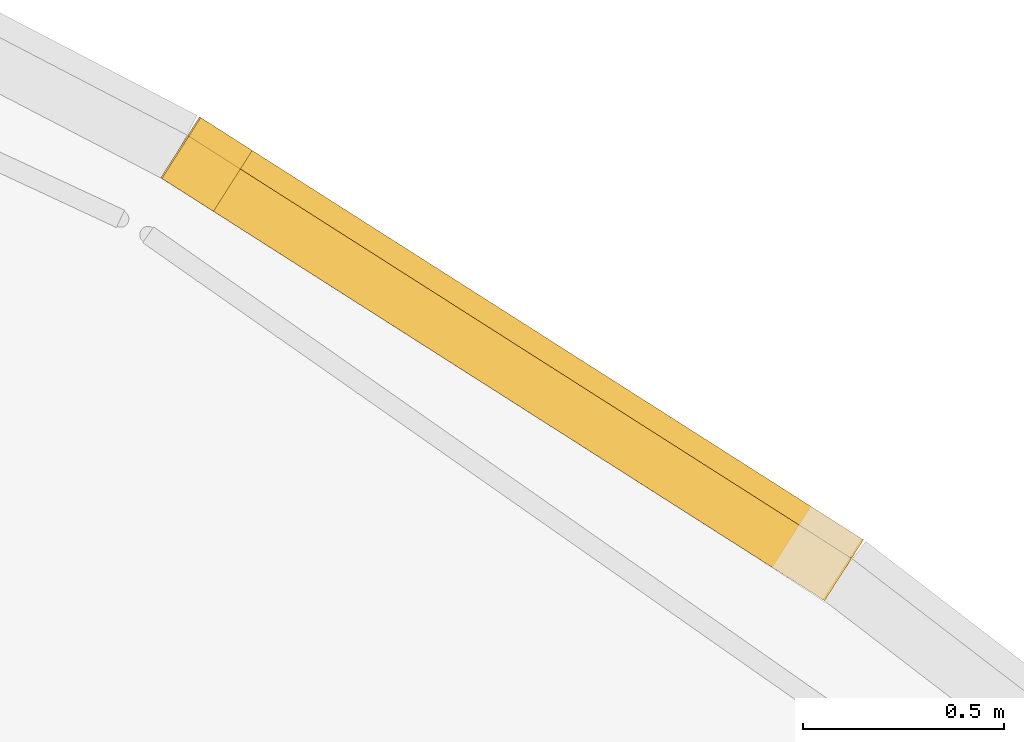
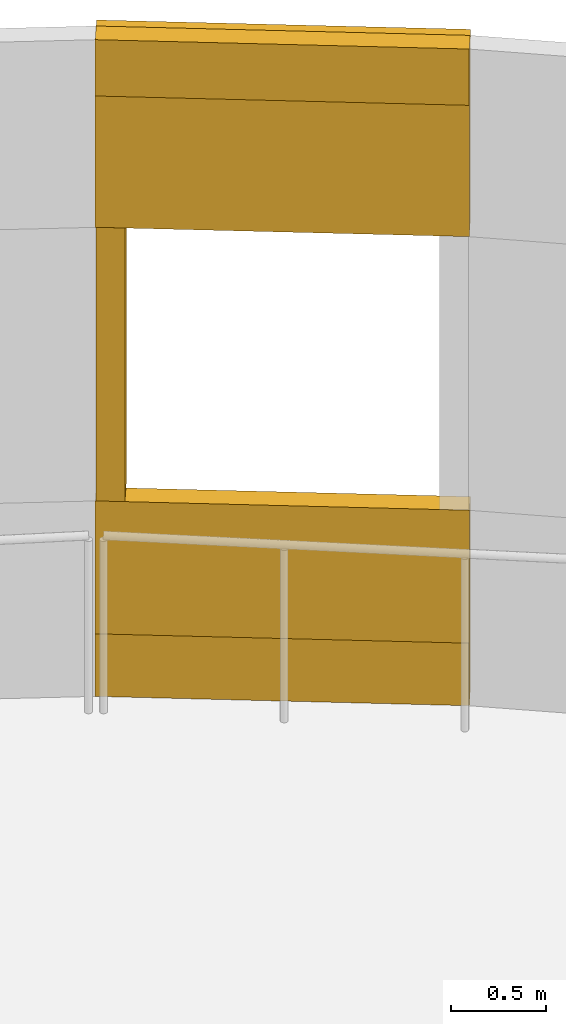
# One storey, part 134 of 135: 5 coverings.
"""IFC4 building model written with IfcOpenShell, lengths in metres."""

from ifc_helpers import new_model, si_unit, direction, frame, origin, origin_2d, place, context, subcontext, project, spatial, rectangle, extrude, material, layer, layer_set, type_object, element, save


model = new_model("IFC4")

# Units and contexts
model_context = context("Model", 3, precision=1e-05, world=origin(), true_north=direction((0.0, 1.0)))
body_context = subcontext(model_context, "Body", "Model", "MODEL_VIEW")
ifc_project = project(units=[si_unit("LENGTHUNIT", "METRE"), si_unit("AREAUNIT", "SQUARE_METRE"), si_unit("VOLUMEUNIT", "CUBIC_METRE"), si_unit("PLANEANGLEUNIT", "RADIAN"), si_unit("MASSUNIT", "GRAM", prefix="KILO")], contexts=[model_context])

# Site, building, storey
site_placement = place(None, origin())
site = spatial("IfcSite", under=ifc_project, at=site_placement, CompositionType="ELEMENT")
building_placement = place(site_placement, origin())
building = spatial("IfcBuilding", under=site, at=building_placement, Name="Deido Ridge Mobility Hub", CompositionType="ELEMENT")
storey_placement = place(building_placement, frame((0.0, 0.0, 4.199951171875)))
storey = spatial("IfcBuildingStorey", under=building, at=storey_placement, Name="L01", CompositionType="ELEMENT", Elevation=4.199951171875)

# Coverings
ifc_material = material(Name="Fired clay brick masonry", Category="masonry")
ifc_layer = layer(ifc_material, 0.114990234375, Name="Fired clay brick masonry")
ifc_layer_set = layer_set([ifc_layer], Name="Fired clay brick masonry")
covering_type = type_object("IfcCoveringType", Name="COV-BRK-SCREEN-115", PredefinedType="CLADDING", material=ifc_layer_set)
covering_1_placement = place(storey_placement, frame((129.049560546875, 122.4140625, 0.0), z_axis=(0.0, 0.0, 1.0), x_axis=(-0.843382068037, 0.537314328223, 0.0)))
element("IfcCovering", 1, at=covering_1_placement, inside=storey, type_object=covering_type, Name="Open brickwork spandrel course BKS1 (L01)", PredefinedType="CLADDING", context=body_context, shape_type="SweptSolid", body=[
    extrude(rectangle(XDim=1.9619140625, YDim=0.125, at=origin_2d()), origin(), (0.0, 0.0, 1.0), 1.25),
])
covering_2_placement = place(storey_placement, frame((129.064208984375, 122.437255859375, 0.0), z_axis=(0.0, 0.0, 1.0), x_axis=(-0.843382068037, 0.537314328223, 0.0)))
element("IfcCovering", 2, at=covering_2_placement, inside=storey, type_object=covering_type, Name="Raised brick relief belt BKS1 (L01)", PredefinedType="CLADDING", context=body_context, shape_type="SweptSolid", body=[
    extrude(rectangle(XDim=1.9619140625, YDim=0.179931640625, at=origin_2d()), origin(), (0.0, 0.0, 1.0), 0.39990234375),
])
covering_3_placement = place(storey_placement, frame((129.049560546875, 122.4140625, 3.0), z_axis=(0.0, 0.0, 1.0), x_axis=(-0.843382068037, 0.537314328223, 0.0)))
element("IfcCovering", 3, at=covering_3_placement, inside=storey, type_object=covering_type, Name="Open brickwork lintel course BKS1 (L01)", PredefinedType="CLADDING", context=body_context, shape_type="SweptSolid", body=[
    extrude(rectangle(XDim=1.9619140625, YDim=0.125, at=origin_2d()), origin(), (0.0, 0.0, 1.0), 1.199951171875),
])
covering_4_placement = place(storey_placement, frame((129.064208984375, 122.437255859375, 3.83984375), z_axis=(0.0, 0.0, 1.0), x_axis=(-0.843382068037, 0.537314328223, 0.0)))
element("IfcCovering", 4, at=covering_4_placement, inside=storey, type_object=covering_type, Name="Raised brick relief cornice BKS1 (L01)", PredefinedType="CLADDING", context=body_context, shape_type="SweptSolid", body=[
    extrude(rectangle(XDim=1.9619140625, YDim=0.179931640625, at=origin_2d()), origin(), (0.0, 0.0, 1.0), 0.360107421875),
])
covering_5_placement = place(storey_placement, frame((128.304443359375, 122.92138671875, 1.25), z_axis=(0.0, 0.0, 1.0), x_axis=(-0.843382068037, 0.537314328223, 0.0)))
element("IfcCovering", 5, at=covering_5_placement, inside=storey, type_object=covering_type, Name="Curved brick jamb nib BKS1 (L01)", PredefinedType="CLADDING", context=body_context, shape_type="SweptSolid", body=[
    extrude(rectangle(XDim=0.152099609375, YDim=0.179931640625, at=origin_2d()), origin(), (0.0, 0.0, 1.0), 1.75),
])

save(model, "model.ifc")
